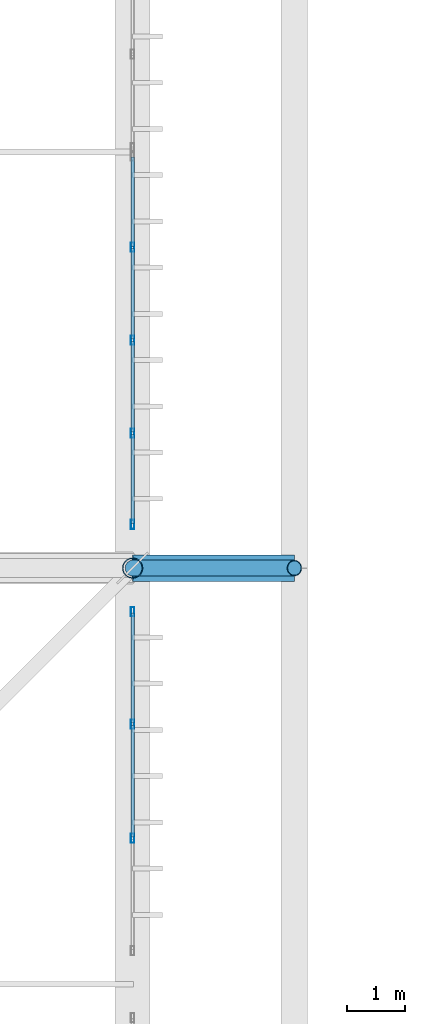
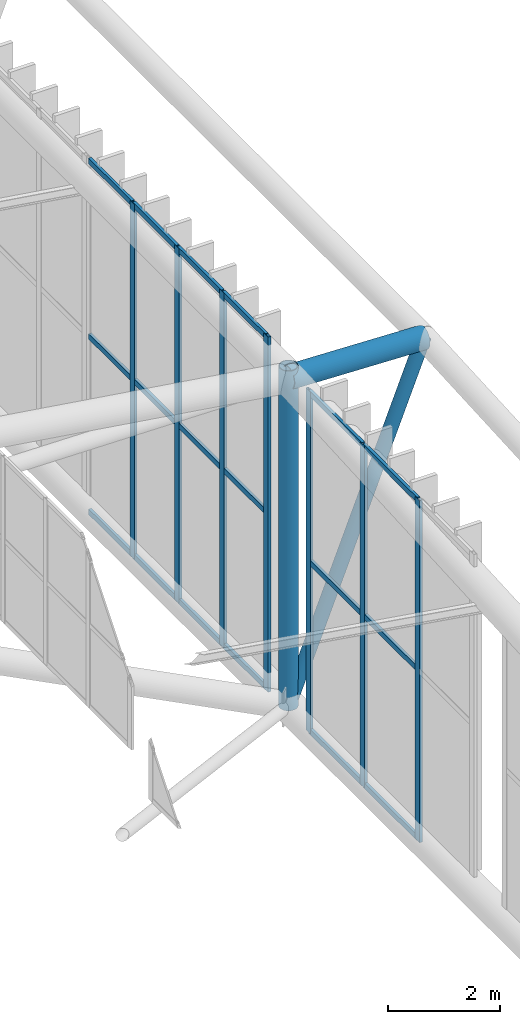
# One storey, part 171 of 397: 27 members, 1 beam, 2 elements without a shape of their own.
"""IFC4 building model written with IfcOpenShell, lengths in metres."""

from ifc_helpers import new_model, si_unit, direction, frame, origin, origin_2d, place, context, subcontext, project, spatial, hollow_rectangle, hollow_circle, extrude, material, material_profile, profile_set, type_object, element, aggregate, save


model = new_model("IFC4")

# Units and contexts
model_context = context("Model", 3, precision=1e-05, world=origin(), true_north=direction((0.0, 1.0)))
body_context = subcontext(model_context, "Body", "Model", "MODEL_VIEW")
ifc_project = project(units=[si_unit("LENGTHUNIT", "METRE"), si_unit("AREAUNIT", "SQUARE_METRE"), si_unit("VOLUMEUNIT", "CUBIC_METRE"), si_unit("PLANEANGLEUNIT", "RADIAN"), si_unit("MASSUNIT", "GRAM", prefix="KILO")], contexts=[model_context])

# Site, building, storey
site_placement = place(None, origin())
site = spatial("IfcSite", under=ifc_project, at=site_placement, CompositionType="ELEMENT")
building_placement = place(site_placement, origin())
building = spatial("IfcBuilding", under=site, at=building_placement, Name="Qandorah Velis Arena", CompositionType="ELEMENT")
storey_placement = place(building_placement, frame((0.0, 0.0, 27.5)))
storey = spatial("IfcBuildingStorey", under=building, at=storey_placement, Name="RF", CompositionType="ELEMENT", Elevation=27.5)

# Curtain wall, members
ifc_material_1 = material(Name="Solar-control low-E double glazing", Category="glass")
curtain_wall_type_1 = type_object("IfcCurtainWallType", Name="ARC-CW-SYS12", PredefinedType="USERDEFINED", material=ifc_material_1)
curtain_wall_1_placement = place(storey_placement, origin())
curtain_wall_1 = element("IfcCurtainWall", 1, at=curtain_wall_1_placement, inside=storey, type_object=curtain_wall_type_1, Name="Unitised curtain wall CROWN-2-04S1", ObjectType="UNITISED CURTAIN WALL", PredefinedType="USERDEFINED")
ifc_material_2 = material(Name="Champagne-bronze anodized aluminium 6063-T6", Category="aluminium")
ifc_material_profile_1 = material_profile(ifc_material_2, hollow_rectangle(XDim=0.06005859375, YDim=0.159912109375, WallThickness=0.00341796875, at=origin_2d()), Name="ALU MULLION 60x160")
ifc_profile_set_1 = profile_set([ifc_material_profile_1], Name="Champagne-bronze anodized aluminium 6063-T6")
member_type_1 = type_object("IfcMemberType", Name="ARC-CWM-160", PredefinedType="MULLION", material=ifc_profile_set_1)
member_1_placement = place(storey_placement, frame((115.199951171875, 52.925048828125, -0.014892578125), z_axis=(0.0, 0.0, 1.0), x_axis=(-1.0, 0.0, 0.0)))
member_1 = element("IfcMember", 2, at=member_1_placement, type_object=member_type_1, Name="CW12 mullion 2", PredefinedType="MULLION", context=body_context, shape_type="SweptSolid", body=[
    extrude(hollow_rectangle(XDim=0.06005859375, YDim=0.159912109375, WallThickness=0.00341796875, at=origin_2d()), origin(), (0.0, 0.0, 1.0), 7.480712890625),
])
member_2_placement = place(storey_placement, frame((115.199951171875, 54.89990234375, -0.014892578125), z_axis=(0.0, 0.0, 1.0), x_axis=(-1.0, 0.0, 0.0)))
member_2 = element("IfcMember", 3, at=member_2_placement, type_object=member_type_1, Name="CW12 mullion 3", PredefinedType="MULLION", context=body_context, shape_type="SweptSolid", body=[
    extrude(hollow_rectangle(XDim=0.06005859375, YDim=0.159912109375, WallThickness=0.00341796875, at=origin_2d()), origin(), (0.0, 0.0, 1.0), 7.480712890625),
])
member_3_placement = place(storey_placement, frame((115.199951171875, 56.844970703125, -0.014892578125), z_axis=(0.0, 0.0, 1.0), x_axis=(-1.0, 0.0, 0.0)))
member_3 = element("IfcMember", 4, at=member_3_placement, type_object=member_type_1, Name="CW12 mullion 4", PredefinedType="MULLION", context=body_context, shape_type="SweptSolid", body=[
    extrude(hollow_rectangle(XDim=0.06005859375, YDim=0.159912109375, WallThickness=0.00341796875, at=origin_2d()), origin(), (0.0, 0.0, 1.0), 7.480712890625),
])

curtain_wall_type_2 = type_object("IfcCurtainWallType", Name="ARC-CW-SYS13", PredefinedType="USERDEFINED", material=ifc_material_1)
curtain_wall_2_placement = place(storey_placement, origin())
curtain_wall_2 = element("IfcCurtainWall", 5, at=curtain_wall_2_placement, inside=storey, type_object=curtain_wall_type_2, Name="Unitised curtain wall CROWN-2-05S1", ObjectType="UNITISED CURTAIN WALL", PredefinedType="USERDEFINED")
member_4_placement = place(storey_placement, frame((115.199951171875, 58.35498046875, -0.014892578125), z_axis=(0.0, 0.0, 1.0), x_axis=(-1.0, 0.0, 0.0)))
member_4 = element("IfcMember", 6, at=member_4_placement, type_object=member_type_1, Name="CW13 mullion 1", PredefinedType="MULLION", context=body_context, shape_type="SweptSolid", body=[
    extrude(hollow_rectangle(XDim=0.06005859375, YDim=0.159912109375, WallThickness=0.00341796875, at=origin_2d()), origin(), (0.0, 0.0, 1.0), 7.764892578125),
])
member_5_placement = place(storey_placement, frame((115.199951171875, 59.933837890625, -0.014892578125), z_axis=(0.0, 0.0, 1.0), x_axis=(-1.0, 0.0, 0.0)))
member_5 = element("IfcMember", 7, at=member_5_placement, type_object=member_type_1, Name="CW13 mullion 2", PredefinedType="MULLION", context=body_context, shape_type="SweptSolid", body=[
    extrude(hollow_rectangle(XDim=0.06005859375, YDim=0.159912109375, WallThickness=0.00341796875, at=origin_2d()), origin(), (0.0, 0.0, 1.0), 7.764892578125),
])
member_6_placement = place(storey_placement, frame((115.199951171875, 61.54248046875, -0.014892578125), z_axis=(0.0, 0.0, 1.0), x_axis=(-1.0, 0.0, 0.0)))
member_6 = element("IfcMember", 8, at=member_6_placement, type_object=member_type_1, Name="CW13 mullion 3", PredefinedType="MULLION", context=body_context, shape_type="SweptSolid", body=[
    extrude(hollow_rectangle(XDim=0.06005859375, YDim=0.159912109375, WallThickness=0.00341796875, at=origin_2d()), origin(), (0.0, 0.0, 1.0), 7.764892578125),
])
member_7_placement = place(storey_placement, frame((115.199951171875, 63.1513671875, -0.014892578125), z_axis=(0.0, 0.0, 1.0), x_axis=(-1.0, 0.0, 0.0)))
member_7 = element("IfcMember", 9, at=member_7_placement, type_object=member_type_1, Name="CW13 mullion 4", PredefinedType="MULLION", context=body_context, shape_type="SweptSolid", body=[
    extrude(hollow_rectangle(XDim=0.06005859375, YDim=0.159912109375, WallThickness=0.00341796875, at=origin_2d()), origin(), (0.0, 0.0, 1.0), 7.764892578125),
])

# Member
ifc_material_profile_2 = material_profile(ifc_material_2, hollow_rectangle(XDim=0.06005859375, YDim=0.1201171875, WallThickness=0.0029296875, at=origin_2d()), Name="ALU TRANSOM 60x120")
ifc_profile_set_2 = profile_set([ifc_material_profile_2], Name="Champagne-bronze anodized aluminium 6063-T6")
member_type_2 = type_object("IfcMemberType", Name="ARC-CWT-120", PredefinedType="USERDEFINED", material=ifc_profile_set_2)
member_8_placement = place(storey_placement, frame((115.199951171875, 52.943115234375, 0.030029296875), z_axis=(0.0, 1.0, 0.0), x_axis=(-1.0, 0.0, 0.0)))
member_8 = element("IfcMember", 10, at=member_8_placement, type_object=member_type_2, Name="CW12 transom 2.1", ObjectType="TRANSOM", PredefinedType="USERDEFINED", context=body_context, shape_type="SweptSolid", body=[
    extrude(hollow_rectangle(XDim=0.06005859375, YDim=0.1201171875, WallThickness=0.0029296875, at=origin_2d()), origin(), (0.0, 0.0, 1.0), 1.93896484375),
])

member_9_placement = place(storey_placement, frame((115.199951171875, 52.943115234375, 3.725341796875), z_axis=(0.0, 1.0, 0.0), x_axis=(-1.0, 0.0, 0.0)))
member_9 = element("IfcMember", 11, at=member_9_placement, type_object=member_type_2, Name="CW12 transom 2.2", ObjectType="TRANSOM", PredefinedType="USERDEFINED", context=body_context, shape_type="SweptSolid", body=[
    extrude(hollow_rectangle(XDim=0.06005859375, YDim=0.1201171875, WallThickness=0.0029296875, at=origin_2d()), origin(), (0.0, 0.0, 1.0), 1.93896484375),
])

member_10_placement = place(storey_placement, frame((115.199951171875, 52.943115234375, 7.420654296875), z_axis=(0.0, 1.0, 0.0), x_axis=(-1.0, 0.0, 0.0)))
member_10 = element("IfcMember", 12, at=member_10_placement, type_object=member_type_2, Name="CW12 transom 2.3", ObjectType="TRANSOM", PredefinedType="USERDEFINED", context=body_context, shape_type="SweptSolid", body=[
    extrude(hollow_rectangle(XDim=0.06005859375, YDim=0.1201171875, WallThickness=0.0029296875, at=origin_2d()), origin(), (0.0, 0.0, 1.0), 1.93896484375),
])

member_11_placement = place(storey_placement, frame((115.199951171875, 54.91796875, 0.030029296875), z_axis=(0.0, 1.0, 0.0), x_axis=(-1.0, 0.0, 0.0)))
member_11 = element("IfcMember", 13, at=member_11_placement, type_object=member_type_2, Name="CW12 transom 3.1", ObjectType="TRANSOM", PredefinedType="USERDEFINED", context=body_context, shape_type="SweptSolid", body=[
    extrude(hollow_rectangle(XDim=0.06005859375, YDim=0.1201171875, WallThickness=0.0029296875, at=origin_2d()), origin(), (0.0, 0.0, 1.0), 1.908935546875),
])

member_12_placement = place(storey_placement, frame((115.199951171875, 54.91796875, 3.725341796875), z_axis=(0.0, 1.0, 0.0), x_axis=(-1.0, 0.0, 0.0)))
member_12 = element("IfcMember", 14, at=member_12_placement, type_object=member_type_2, Name="CW12 transom 3.2", ObjectType="TRANSOM", PredefinedType="USERDEFINED", context=body_context, shape_type="SweptSolid", body=[
    extrude(hollow_rectangle(XDim=0.06005859375, YDim=0.1201171875, WallThickness=0.0029296875, at=origin_2d()), origin(), (0.0, 0.0, 1.0), 1.908935546875),
])

member_13_placement = place(storey_placement, frame((115.199951171875, 54.91796875, 7.420654296875), z_axis=(0.0, 1.0, 0.0), x_axis=(-1.0, 0.0, 0.0)))
member_13 = element("IfcMember", 15, at=member_13_placement, type_object=member_type_2, Name="CW12 transom 3.3", ObjectType="TRANSOM", PredefinedType="USERDEFINED", context=body_context, shape_type="SweptSolid", body=[
    extrude(hollow_rectangle(XDim=0.06005859375, YDim=0.1201171875, WallThickness=0.0029296875, at=origin_2d()), origin(), (0.0, 0.0, 1.0), 1.908935546875),
])

aggregate(curtain_wall_1, [member_1, member_2, member_3, member_8, member_9, member_10, member_11, member_12, member_13])

member_14_placement = place(storey_placement, frame((115.199951171875, 58.373046875, 0.030029296875), z_axis=(0.0, 1.0, 0.0), x_axis=(-1.0, 0.0, 0.0)))
member_14 = element("IfcMember", 16, at=member_14_placement, type_object=member_type_2, Name="CW13 transom 1.1", ObjectType="TRANSOM", PredefinedType="USERDEFINED", context=body_context, shape_type="SweptSolid", body=[
    extrude(hollow_rectangle(XDim=0.06005859375, YDim=0.1201171875, WallThickness=0.0029296875, at=origin_2d()), origin(), (0.0, 0.0, 1.0), 1.542724609375),
])

member_15_placement = place(storey_placement, frame((115.199951171875, 58.373046875, 3.86767578125), z_axis=(0.0, 1.0, 0.0), x_axis=(-1.0, 0.0, 0.0)))
member_15 = element("IfcMember", 17, at=member_15_placement, type_object=member_type_2, Name="CW13 transom 1.2", ObjectType="TRANSOM", PredefinedType="USERDEFINED", context=body_context, shape_type="SweptSolid", body=[
    extrude(hollow_rectangle(XDim=0.06005859375, YDim=0.1201171875, WallThickness=0.0029296875, at=origin_2d()), origin(), (0.0, 0.0, 1.0), 1.542724609375),
])

member_16_placement = place(storey_placement, frame((115.199951171875, 58.373046875, 7.705078125), z_axis=(0.0, 1.0, 0.0), x_axis=(-1.0, 0.0, 0.0)))
member_16 = element("IfcMember", 18, at=member_16_placement, type_object=member_type_2, Name="CW13 transom 1.3", ObjectType="TRANSOM", PredefinedType="USERDEFINED", context=body_context, shape_type="SweptSolid", body=[
    extrude(hollow_rectangle(XDim=0.06005859375, YDim=0.1201171875, WallThickness=0.0029296875, at=origin_2d()), origin(), (0.0, 0.0, 1.0), 1.542724609375),
])

member_17_placement = place(storey_placement, frame((115.199951171875, 59.951904296875, 0.030029296875), z_axis=(0.0, 1.0, 0.0), x_axis=(-1.0, 0.0, 0.0)))
member_17 = element("IfcMember", 19, at=member_17_placement, type_object=member_type_2, Name="CW13 transom 2.1", ObjectType="TRANSOM", PredefinedType="USERDEFINED", context=body_context, shape_type="SweptSolid", body=[
    extrude(hollow_rectangle(XDim=0.06005859375, YDim=0.1201171875, WallThickness=0.0029296875, at=origin_2d()), origin(), (0.0, 0.0, 1.0), 1.572509765625),
])

member_18_placement = place(storey_placement, frame((115.199951171875, 59.951904296875, 3.86767578125), z_axis=(0.0, 1.0, 0.0), x_axis=(-1.0, 0.0, 0.0)))
member_18 = element("IfcMember", 20, at=member_18_placement, type_object=member_type_2, Name="CW13 transom 2.2", ObjectType="TRANSOM", PredefinedType="USERDEFINED", context=body_context, shape_type="SweptSolid", body=[
    extrude(hollow_rectangle(XDim=0.06005859375, YDim=0.1201171875, WallThickness=0.0029296875, at=origin_2d()), origin(), (0.0, 0.0, 1.0), 1.572509765625),
])

member_19_placement = place(storey_placement, frame((115.199951171875, 59.951904296875, 7.705078125), z_axis=(0.0, 1.0, 0.0), x_axis=(-1.0, 0.0, 0.0)))
member_19 = element("IfcMember", 21, at=member_19_placement, type_object=member_type_2, Name="CW13 transom 2.3", ObjectType="TRANSOM", PredefinedType="USERDEFINED", context=body_context, shape_type="SweptSolid", body=[
    extrude(hollow_rectangle(XDim=0.06005859375, YDim=0.1201171875, WallThickness=0.0029296875, at=origin_2d()), origin(), (0.0, 0.0, 1.0), 1.572509765625),
])

member_20_placement = place(storey_placement, frame((115.199951171875, 61.560546875, 0.030029296875), z_axis=(0.0, 1.0, 0.0), x_axis=(-1.0, 0.0, 0.0)))
member_20 = element("IfcMember", 22, at=member_20_placement, type_object=member_type_2, Name="CW13 transom 3.1", ObjectType="TRANSOM", PredefinedType="USERDEFINED", context=body_context, shape_type="SweptSolid", body=[
    extrude(hollow_rectangle(XDim=0.06005859375, YDim=0.1201171875, WallThickness=0.0029296875, at=origin_2d()), origin(), (0.0, 0.0, 1.0), 1.57275390625),
])

member_21_placement = place(storey_placement, frame((115.199951171875, 61.560546875, 3.86767578125), z_axis=(0.0, 1.0, 0.0), x_axis=(-1.0, 0.0, 0.0)))
member_21 = element("IfcMember", 23, at=member_21_placement, type_object=member_type_2, Name="CW13 transom 3.2", ObjectType="TRANSOM", PredefinedType="USERDEFINED", context=body_context, shape_type="SweptSolid", body=[
    extrude(hollow_rectangle(XDim=0.06005859375, YDim=0.1201171875, WallThickness=0.0029296875, at=origin_2d()), origin(), (0.0, 0.0, 1.0), 1.57275390625),
])

member_22_placement = place(storey_placement, frame((115.199951171875, 61.560546875, 7.705078125), z_axis=(0.0, 1.0, 0.0), x_axis=(-1.0, 0.0, 0.0)))
member_22 = element("IfcMember", 24, at=member_22_placement, type_object=member_type_2, Name="CW13 transom 3.3", ObjectType="TRANSOM", PredefinedType="USERDEFINED", context=body_context, shape_type="SweptSolid", body=[
    extrude(hollow_rectangle(XDim=0.06005859375, YDim=0.1201171875, WallThickness=0.0029296875, at=origin_2d()), origin(), (0.0, 0.0, 1.0), 1.57275390625),
])

member_23_placement = place(storey_placement, frame((115.199951171875, 63.169189453125, 0.030029296875), z_axis=(0.0, 1.0, 0.0), x_axis=(-1.0, 0.0, 0.0)))
member_23 = element("IfcMember", 25, at=member_23_placement, type_object=member_type_2, Name="CW13 transom 4.1", ObjectType="TRANSOM", PredefinedType="USERDEFINED", context=body_context, shape_type="SweptSolid", body=[
    extrude(hollow_rectangle(XDim=0.06005859375, YDim=0.1201171875, WallThickness=0.0029296875, at=origin_2d()), origin(), (0.0, 0.0, 1.0), 1.542724609375),
])

member_24_placement = place(storey_placement, frame((115.199951171875, 63.169189453125, 3.86767578125), z_axis=(0.0, 1.0, 0.0), x_axis=(-1.0, 0.0, 0.0)))
member_24 = element("IfcMember", 26, at=member_24_placement, type_object=member_type_2, Name="CW13 transom 4.2", ObjectType="TRANSOM", PredefinedType="USERDEFINED", context=body_context, shape_type="SweptSolid", body=[
    extrude(hollow_rectangle(XDim=0.06005859375, YDim=0.1201171875, WallThickness=0.0029296875, at=origin_2d()), origin(), (0.0, 0.0, 1.0), 1.542724609375),
])

member_25_placement = place(storey_placement, frame((115.199951171875, 63.169189453125, 7.705078125), z_axis=(0.0, 1.0, 0.0), x_axis=(-1.0, 0.0, 0.0)))
member_25 = element("IfcMember", 27, at=member_25_placement, type_object=member_type_2, Name="CW13 transom 4.3", ObjectType="TRANSOM", PredefinedType="USERDEFINED", context=body_context, shape_type="SweptSolid", body=[
    extrude(hollow_rectangle(XDim=0.06005859375, YDim=0.1201171875, WallThickness=0.0029296875, at=origin_2d()), origin(), (0.0, 0.0, 1.0), 1.542724609375),
])

aggregate(curtain_wall_2, [member_4, member_5, member_6, member_7, member_14, member_15, member_16, member_17, member_18, member_19, member_20, member_21, member_22, member_23, member_24, member_25])

# Beam
ifc_material_3 = material(Name="Steel S355", Category="steel")
ifc_material_profile_3 = material_profile(ifc_material_3, hollow_circle(Radius=0.228515625, WallThickness=0.01611328125, at=origin_2d()), Name="CHS 457x16")
ifc_profile_set_3 = profile_set([ifc_material_profile_3], Name="Steel S355")
beam_type = type_object("IfcBeamType", Name="STR-SFC-CHS457X16", PredefinedType="USERDEFINED", material=ifc_profile_set_3)
beam_placement = place(storey_placement, frame((115.199951171875, 57.60009765625, 7.2705078125), z_axis=(0.999364739976, 0.0, -0.035638693753), x_axis=(0.0, 1.0, 0.0)))
element("IfcBeam", 28, at=beam_placement, inside=storey, type_object=beam_type, Name="Space frame eave outrigger E-3", ObjectType="ROOF TRUSS", PredefinedType="USERDEFINED", context=body_context, shape_type="SweptSolid", body=[
    extrude(hollow_circle(Radius=0.228515625, WallThickness=0.01611328125, at=origin_2d()), origin(), (0.0, 0.0, 1.0), 2.8017578125),
])

# Members
ifc_material_profile_4 = material_profile(ifc_material_3, hollow_circle(Radius=0.136474609375, WallThickness=0.012451171875, at=origin_2d()), Name="CHS 273x12.5")
ifc_profile_set_4 = profile_set([ifc_material_profile_4], Name="Steel S355")
member_type_3 = type_object("IfcMemberType", Name="STR-SFD-CHS273X12", PredefinedType="STRUT", material=ifc_profile_set_4)
member_26_placement = place(storey_placement, frame((115.199951171875, 57.60009765625, 0.10009765625), z_axis=(0.368194737102, 0.0, 0.929748694847), x_axis=(0.0, 1.0, 0.0)))
element("IfcMember", 29, at=member_26_placement, inside=storey, type_object=member_type_3, Name="Space frame eave raking strut E-3", PredefinedType="STRUT", context=body_context, shape_type="SweptSolid", body=[
    extrude(hollow_circle(Radius=0.136474609375, WallThickness=0.012451171875, at=origin_2d()), origin(), (0.0, 0.0, 1.0), 7.604736328125),
])
ifc_material_profile_5 = material_profile(ifc_material_3, hollow_circle(Radius=0.177734375, WallThickness=0.01611328125, at=origin_2d()), Name="CHS 355.6x16")
ifc_profile_set_5 = profile_set([ifc_material_profile_5], Name="Steel S355")
member_type_4 = type_object("IfcMemberType", Name="STR-SFD-CHS355X16", PredefinedType="STRUT", material=ifc_profile_set_5)
member_27_placement = place(storey_placement, frame((115.199951171875, 57.60009765625, 0.10009765625), z_axis=(0.0, 0.0, 1.0), x_axis=(1.0, 0.0, 0.0)))
element("IfcMember", 30, at=member_27_placement, inside=storey, type_object=member_type_4, Name="Space frame roof vertical post 7.3", PredefinedType="STRUT", context=body_context, shape_type="SweptSolid", body=[
    extrude(hollow_circle(Radius=0.177734375, WallThickness=0.01611328125, at=origin_2d()), origin(), (0.0, 0.0, 1.0), 7.430419921875),
])

save(model, "model.ifc")
